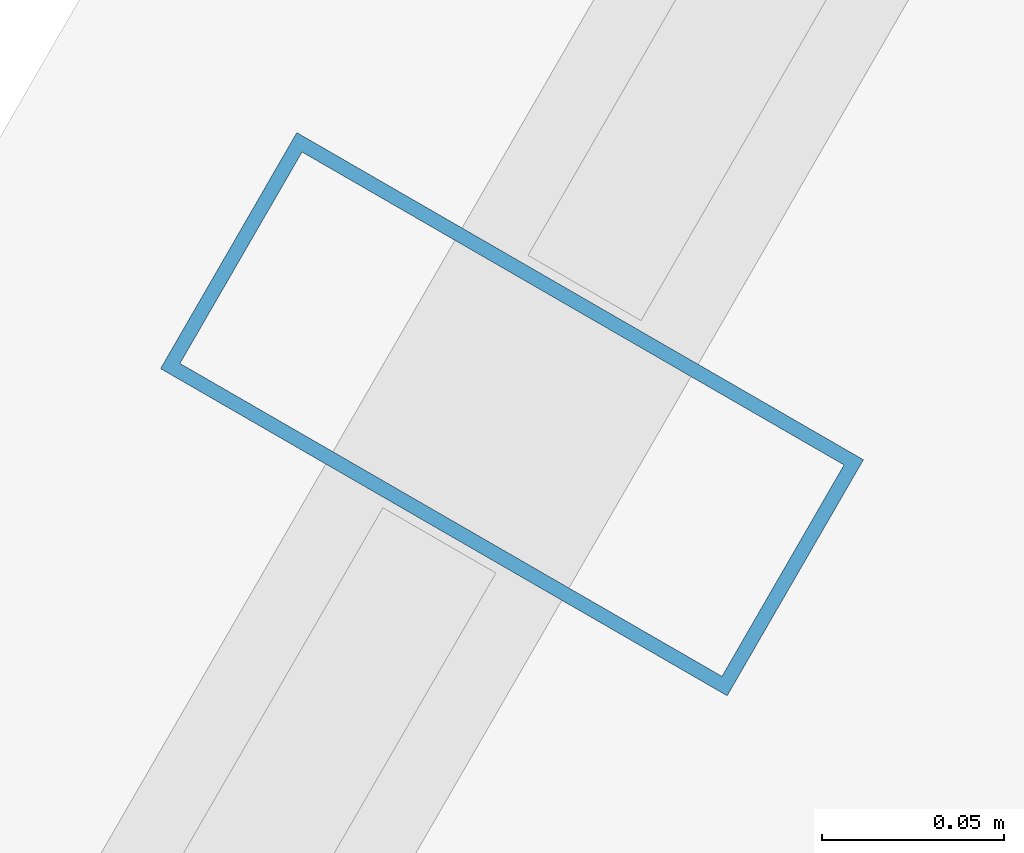
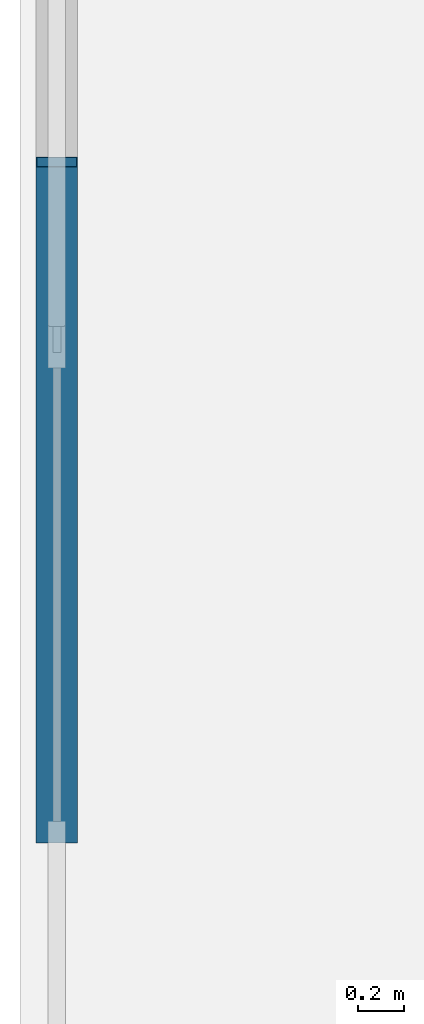
# One storey, part 15 of 32: 1 member, 1 element without a shape of its own.
"""IFC4 building model written with IfcOpenShell, lengths in metres."""

from ifc_helpers import new_model, si_unit, direction, frame, origin, origin_2d, place, context, subcontext, project, spatial, hollow_rectangle, extrude, material, layer, layer_set, material_profile, profile_set, type_object, element, aggregate, save


model = new_model("IFC4")

# Units and contexts
model_context = context("Model", 3, precision=1e-05, world=origin(), true_north=direction((0.0, 1.0)))
body_context = subcontext(model_context, "Body", "Model", "MODEL_VIEW")
ifc_project = project(units=[si_unit("LENGTHUNIT", "METRE"), si_unit("AREAUNIT", "SQUARE_METRE"), si_unit("VOLUMEUNIT", "CUBIC_METRE"), si_unit("PLANEANGLEUNIT", "RADIAN"), si_unit("MASSUNIT", "GRAM", prefix="KILO")], contexts=[model_context])

# Site, building, storey
site_placement = place(None, origin())
site = spatial("IfcSite", under=ifc_project, at=site_placement, CompositionType="ELEMENT")
building_placement = place(site_placement, origin())
building = spatial("IfcBuilding", under=site, at=building_placement, Name="Ndaravel Arena Tower", CompositionType="ELEMENT")
storey_placement = place(building_placement, frame((0.0, 0.0, 290.89990234375)))
storey = spatial("IfcBuildingStorey", under=building, at=storey_placement, Name="L71", CompositionType="ELEMENT", Elevation=290.89990234375)

# Curtain wall, member
ifc_material_1 = material(Name="Aluminium", Category="aluminium")
ifc_layer = layer(ifc_material_1, 0.179931640625)
ifc_layer_set = layer_set([ifc_layer], Name="Aluminium")
curtain_wall_type = type_object("IfcCurtainWallType", Name="CW-SYS-03", PredefinedType="NOTDEFINED", material=ifc_layer_set)
curtain_wall_placement = place(storey_placement, origin())
curtain_wall = element("IfcCurtainWall", 1, at=curtain_wall_placement, inside=storey, type_object=curtain_wall_type, Name="L71 Faceted Crystal Curtain Wall CW-L71-E05", PredefinedType="NOTDEFINED")
ifc_material_2 = material(Name="Aluminium", Category="aluminium")
ifc_material_profile = material_profile(ifc_material_2, hollow_rectangle(XDim=0.074951171875, YDim=0.179931640625, WallThickness=0.00390625, at=origin_2d()), Name="CW MULLION 75x180x4")
ifc_profile_set = profile_set([ifc_material_profile], Name="Aluminium")
member_type = type_object("IfcMemberType", Name="MEM-CW-MUL180", PredefinedType="MULLION", material=ifc_profile_set)
member_placement = place(storey_placement, frame((35.275390625, 36.086181640625, 0.0), z_axis=(0.0, 0.0, 1.0), x_axis=(-0.5, -0.866025403784, 0.0)))
member = element("IfcMember", 2, at=member_placement, type_object=member_type, Name="CW-L71-E05 Mullion 02", PredefinedType="MULLION", context=body_context, shape_type="SweptSolid", body=[
    extrude(hollow_rectangle(XDim=0.074951171875, YDim=0.179931640625, WallThickness=0.00390625, at=origin_2d()), origin(), (0.0, 0.0, 1.0), 3.580078125),
])
aggregate(curtain_wall, [member])

save(model, "model.ifc")
